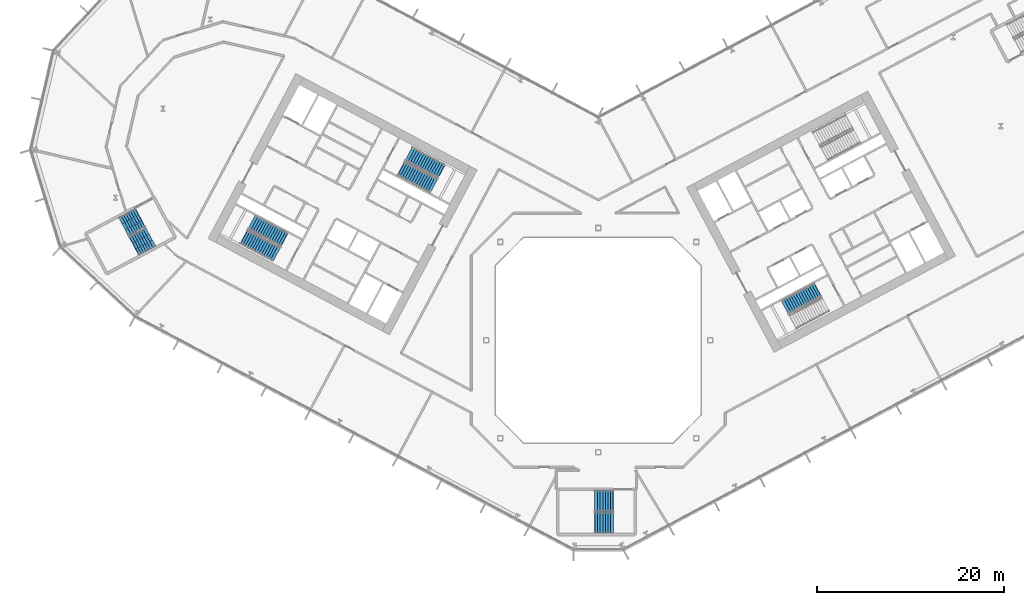
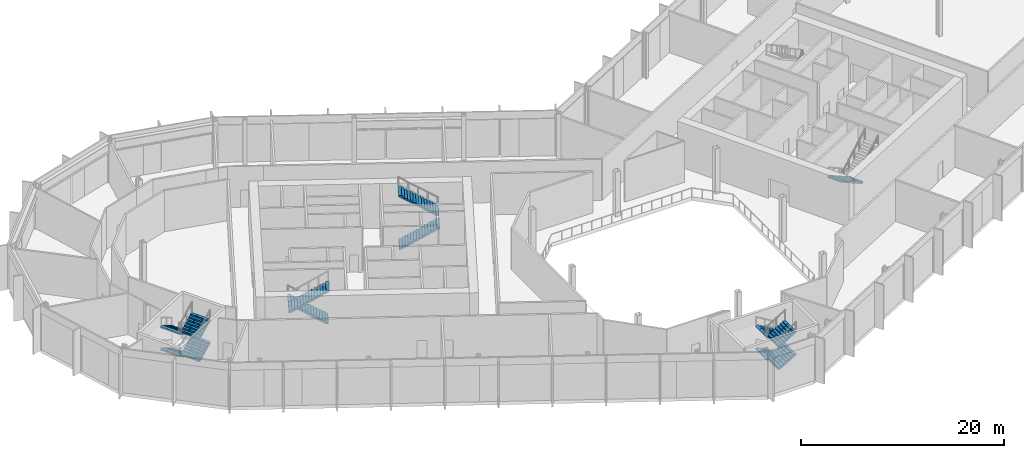
# One storey, part 18 of 31: 13 stair flights, 5 elements without a shape of their own.
"""IFC4 building model written with IfcOpenShell, lengths in metres."""

from ifc_helpers import new_model, si_unit, direction, frame, origin, place, context, subcontext, project, spatial, polyline, outline, extrude, material, type_object, element, aggregate, save


model = new_model("IFC4")

# Units and contexts
model_context = context("Model", 3, precision=1e-05, world=origin(), true_north=direction((0.0, 1.0)))
body_context = subcontext(model_context, "Body", "Model", "MODEL_VIEW")
ifc_project = project(units=[si_unit("LENGTHUNIT", "METRE"), si_unit("AREAUNIT", "SQUARE_METRE"), si_unit("VOLUMEUNIT", "CUBIC_METRE"), si_unit("PLANEANGLEUNIT", "RADIAN"), si_unit("MASSUNIT", "GRAM", prefix="KILO")], contexts=[model_context])

# Site, building, storey
site_placement = place(None, origin())
site = spatial("IfcSite", under=ifc_project, at=site_placement, CompositionType="ELEMENT")
building_placement = place(site_placement, origin())
building = spatial("IfcBuilding", under=site, at=building_placement, Name="Cormorant Relay Tower", CompositionType="ELEMENT")
storey_placement = place(building_placement, frame((0.0, 0.0, 12.199951171875)))
storey = spatial("IfcBuildingStorey", under=building, at=storey_placement, Name="L02", CompositionType="ELEMENT", Elevation=12.199951171875)

# Stair, stair flights
ifc_material_1 = material(Name="Concrete 40 MPa", Category="concrete")
stair_type_1 = type_object("IfcStairType", Name="Exit stair 1500", PredefinedType="HALF_TURN_STAIR", material=ifc_material_1)
stair_1_placement = place(storey_placement, origin())
stair_1 = element("IfcStair", 1, at=stair_1_placement, inside=storey, type_object=stair_type_1, Name="L02 Stair", PredefinedType="HALF_TURN_STAIR")
ifc_material_2 = material(Name="Concrete 40 MPa", Category="concrete")
stair_flight_type_1 = type_object("IfcStairFlightType", Name="Exit stair flight 1650", PredefinedType="STRAIGHT", material=ifc_material_2)
stair_flight_1_placement = place(storey_placement, frame((-21.114501953125, 18.33349609375, 0.0), z_axis=(0.0, 0.0, 1.0), x_axis=(0.882947592859, -0.469471562786, 0.0)))
stair_flight_1 = element("IfcStairFlight", 2, at=stair_flight_1_placement, type_object=stair_flight_type_1, Name="A1 flight 1", NumberOfRisers=15, NumberOfTreads=14, PredefinedType="STRAIGHT", RiserHeight=0.18, TreadLength=0.28, context=body_context, shape_type="SweptSolid", body=[
    extrude(outline(polyline([(-0.050048828125, -0.080078125), (-0.050048828125, 0.0), (0.0, 0.0), (0.0, 0.179931640625), (0.280029296875, 0.179931640625), (0.280029296875, 0.360107421875), (0.56005859375, 0.360107421875), (0.56005859375, 0.5400390625), (0.840087890625, 0.5400390625), (0.840087890625, 0.719970703125), (1.1201171875, 0.719970703125), (1.1201171875, 0.89990234375), (1.39990234375, 0.89990234375), (1.39990234375, 1.080078125), (1.679931640625, 1.080078125), (1.679931640625, 1.260009765625), (1.9599609375, 1.260009765625), (1.9599609375, 1.43994140625), (2.239990234375, 1.43994140625), (2.239990234375, 1.6201171875), (2.52001953125, 1.6201171875), (2.52001953125, 1.800048828125), (2.800048828125, 1.800048828125), (2.800048828125, 1.97998046875), (3.080078125, 1.97998046875), (3.080078125, 2.159912109375), (3.360107421875, 2.159912109375), (3.360107421875, 2.340087890625), (3.639892578125, 2.340087890625), (3.639892578125, 2.52001953125), (3.919921875, 2.52001953125), (3.969970703125, 2.52001953125), (3.969970703125, 2.341796875), (3.919921875, 2.341796875), (0.277099609375, 0.0), (-0.050048828125, -0.080078125)])), frame((0.0, 0.824951171875, 0.0), z_axis=(0.0, -1.0, 0.0), x_axis=(1.0, 0.0, 0.0)), (0.0, 0.0, 1.0), 1.64990234375),
])
stair_flight_2_placement = place(storey_placement, frame((-16.80810546875, 18.08251953125, 2.699951171875), z_axis=(0.0, 0.0, 1.0), x_axis=(-0.882947592859, 0.469471562786, 0.0)))
stair_flight_2 = element("IfcStairFlight", 3, at=stair_flight_2_placement, type_object=stair_flight_type_1, Name="A1 flight 2", NumberOfRisers=15, NumberOfTreads=14, PredefinedType="STRAIGHT", RiserHeight=0.18, TreadLength=0.28, context=body_context, shape_type="SweptSolid", body=[
    extrude(outline(polyline([(-0.050048828125, -0.080078125), (-0.050048828125, 0.0), (0.0, 0.0), (0.0, 0.179931640625), (0.280029296875, 0.179931640625), (0.280029296875, 0.360107421875), (0.56005859375, 0.360107421875), (0.56005859375, 0.5400390625), (0.840087890625, 0.5400390625), (0.840087890625, 0.719970703125), (1.1201171875, 0.719970703125), (1.1201171875, 0.89990234375), (1.39990234375, 0.89990234375), (1.39990234375, 1.080078125), (1.679931640625, 1.080078125), (1.679931640625, 1.260009765625), (1.9599609375, 1.260009765625), (1.9599609375, 1.43994140625), (2.239990234375, 1.43994140625), (2.239990234375, 1.6201171875), (2.52001953125, 1.6201171875), (2.52001953125, 1.800048828125), (2.800048828125, 1.800048828125), (2.800048828125, 1.97998046875), (3.080078125, 1.97998046875), (3.080078125, 2.159912109375), (3.360107421875, 2.159912109375), (3.360107421875, 2.340087890625), (3.639892578125, 2.340087890625), (3.639892578125, 2.52001953125), (3.919921875, 2.52001953125), (3.969970703125, 2.52001953125), (3.969970703125, 2.341796875), (3.919921875, 2.341796875), (0.277099609375, 0.0), (-0.050048828125, -0.080078125)])), frame((0.0, 0.824951171875, 0.0), z_axis=(0.0, -1.0, 0.0), x_axis=(1.0, 0.0, 0.0)), (0.0, 0.0, 1.0), 1.64990234375),
])
aggregate(stair_1, [stair_flight_1, stair_flight_2])

stair_2_placement = place(storey_placement, origin())
stair_2 = element("IfcStair", 4, at=stair_2_placement, inside=storey, type_object=stair_type_1, Name="L02 Stair", PredefinedType="HALF_TURN_STAIR")
stair_flight_3_placement = place(storey_placement, frame((-33.62841796875, 10.773681640625, 0.0), z_axis=(0.0, 0.0, 1.0), x_axis=(-0.882947592859, 0.469471562786, 0.0)))
stair_flight_3 = element("IfcStairFlight", 5, at=stair_flight_3_placement, type_object=stair_flight_type_1, Name="A2 flight 1", NumberOfRisers=15, NumberOfTreads=14, PredefinedType="STRAIGHT", RiserHeight=0.18, TreadLength=0.28, context=body_context, shape_type="SweptSolid", body=[
    extrude(outline(polyline([(-0.050048828125, -0.080078125), (-0.050048828125, 0.0), (0.0, 0.0), (0.0, 0.179931640625), (0.280029296875, 0.179931640625), (0.280029296875, 0.360107421875), (0.56005859375, 0.360107421875), (0.56005859375, 0.5400390625), (0.840087890625, 0.5400390625), (0.840087890625, 0.719970703125), (1.1201171875, 0.719970703125), (1.1201171875, 0.89990234375), (1.39990234375, 0.89990234375), (1.39990234375, 1.080078125), (1.679931640625, 1.080078125), (1.679931640625, 1.260009765625), (1.9599609375, 1.260009765625), (1.9599609375, 1.43994140625), (2.239990234375, 1.43994140625), (2.239990234375, 1.6201171875), (2.52001953125, 1.6201171875), (2.52001953125, 1.800048828125), (2.800048828125, 1.800048828125), (2.800048828125, 1.97998046875), (3.080078125, 1.97998046875), (3.080078125, 2.159912109375), (3.360107421875, 2.159912109375), (3.360107421875, 2.340087890625), (3.639892578125, 2.340087890625), (3.639892578125, 2.52001953125), (3.919921875, 2.52001953125), (3.969970703125, 2.52001953125), (3.969970703125, 2.341796875), (3.919921875, 2.341796875), (0.277099609375, 0.0), (-0.050048828125, -0.080078125)])), frame((0.0, 0.824951171875, 0.0), z_axis=(0.0, -1.0, 0.0), x_axis=(1.0, 0.0, 0.0)), (0.0, 0.0, 1.0), 1.64990234375),
])
stair_flight_4_placement = place(storey_placement, frame((-37.9345703125, 11.024658203125, 2.699951171875), z_axis=(0.0, 0.0, 1.0), x_axis=(0.882947592859, -0.469471562786, 0.0)))
stair_flight_4 = element("IfcStairFlight", 6, at=stair_flight_4_placement, type_object=stair_flight_type_1, Name="A2 flight 2", NumberOfRisers=15, NumberOfTreads=14, PredefinedType="STRAIGHT", RiserHeight=0.18, TreadLength=0.28, context=body_context, shape_type="SweptSolid", body=[
    extrude(outline(polyline([(-0.050048828125, -0.080078125), (-0.050048828125, 0.0), (0.0, 0.0), (0.0, 0.179931640625), (0.280029296875, 0.179931640625), (0.280029296875, 0.360107421875), (0.56005859375, 0.360107421875), (0.56005859375, 0.5400390625), (0.840087890625, 0.5400390625), (0.840087890625, 0.719970703125), (1.1201171875, 0.719970703125), (1.1201171875, 0.89990234375), (1.39990234375, 0.89990234375), (1.39990234375, 1.080078125), (1.679931640625, 1.080078125), (1.679931640625, 1.260009765625), (1.9599609375, 1.260009765625), (1.9599609375, 1.43994140625), (2.239990234375, 1.43994140625), (2.239990234375, 1.6201171875), (2.52001953125, 1.6201171875), (2.52001953125, 1.800048828125), (2.800048828125, 1.800048828125), (2.800048828125, 1.97998046875), (3.080078125, 1.97998046875), (3.080078125, 2.159912109375), (3.360107421875, 2.159912109375), (3.360107421875, 2.340087890625), (3.639892578125, 2.340087890625), (3.639892578125, 2.52001953125), (3.919921875, 2.52001953125), (3.969970703125, 2.52001953125), (3.969970703125, 2.341796875), (3.919921875, 2.341796875), (0.277099609375, 0.0), (-0.050048828125, -0.080078125)])), frame((0.0, 0.824951171875, 0.0), z_axis=(0.0, -1.0, 0.0), x_axis=(1.0, 0.0, 0.0)), (0.0, 0.0, 1.0), 1.64990234375),
])
aggregate(stair_2, [stair_flight_3, stair_flight_4])

# Stair, stair flight
stair_3_placement = place(storey_placement, origin())
stair_3 = element("IfcStair", 7, at=stair_3_placement, inside=storey, type_object=stair_type_1, Name="L02 Stair", PredefinedType="HALF_TURN_STAIR")
stair_flight_5_placement = place(storey_placement, frame((23.474365234375, 5.374755859375, 0.0), z_axis=(0.0, 0.0, 1.0), x_axis=(-0.882947592859, -0.469471562786, 0.0)))
stair_flight_5 = element("IfcStairFlight", 8, at=stair_flight_5_placement, type_object=stair_flight_type_1, Name="B1 flight 1", NumberOfRisers=15, NumberOfTreads=14, PredefinedType="STRAIGHT", RiserHeight=0.18, TreadLength=0.28, context=body_context, shape_type="SweptSolid", body=[
    extrude(outline(polyline([(-0.050048828125, -0.080078125), (-0.050048828125, 0.0), (0.0, 0.0), (0.0, 0.179931640625), (0.280029296875, 0.179931640625), (0.280029296875, 0.360107421875), (0.56005859375, 0.360107421875), (0.56005859375, 0.5400390625), (0.840087890625, 0.5400390625), (0.840087890625, 0.719970703125), (1.1201171875, 0.719970703125), (1.1201171875, 0.89990234375), (1.39990234375, 0.89990234375), (1.39990234375, 1.080078125), (1.679931640625, 1.080078125), (1.679931640625, 1.260009765625), (1.9599609375, 1.260009765625), (1.9599609375, 1.43994140625), (2.239990234375, 1.43994140625), (2.239990234375, 1.6201171875), (2.52001953125, 1.6201171875), (2.52001953125, 1.800048828125), (2.800048828125, 1.800048828125), (2.800048828125, 1.97998046875), (3.080078125, 1.97998046875), (3.080078125, 2.159912109375), (3.360107421875, 2.159912109375), (3.360107421875, 2.340087890625), (3.639892578125, 2.340087890625), (3.639892578125, 2.52001953125), (3.919921875, 2.52001953125), (3.969970703125, 2.52001953125), (3.969970703125, 2.341796875), (3.919921875, 2.341796875), (0.277099609375, 0.0), (-0.050048828125, -0.080078125)])), frame((0.0, 0.824951171875, 0.0), z_axis=(0.0, -1.0, 0.0), x_axis=(1.0, 0.0, 0.0)), (0.0, 0.0, 1.0), 1.64990234375),
])
aggregate(stair_3, [stair_flight_5])

# Stair, stair flights
ifc_material_3 = material(Name="Concrete 40 MPa", Category="concrete")
stair_type_2 = type_object("IfcStairType", Name="Remote exit stair 2200", PredefinedType="HALF_TURN_STAIR", material=ifc_material_3)
stair_4_placement = place(storey_placement, origin())
stair_4 = element("IfcStair", 9, at=stair_4_placement, inside=storey, type_object=stair_type_2, Name="L02 Stair", PredefinedType="HALF_TURN_STAIR")
ifc_material_4 = material(Name="Concrete 40 MPa", Category="concrete")
stair_flight_type_2 = type_object("IfcStairFlightType", Name="Remote exit stair flight 2200", PredefinedType="STRAIGHT", material=ifc_material_4)
stair_flight_6_placement = place(storey_placement, frame((1.60009765625, -17.22509765625, 0.0), z_axis=(0.0, 0.0, 1.0), x_axis=(-1.0, 0.0, 0.0)))
stair_flight_6 = element("IfcStairFlight", 10, at=stair_flight_6_placement, type_object=stair_flight_type_2, Name="RK1 flight 1", NumberOfRisers=8, NumberOfTreads=7, PredefinedType="STRAIGHT", RiserHeight=0.16875, TreadLength=0.28, context=body_context, shape_type="SweptSolid", body=[
    extrude(outline(polyline([(-0.050048828125, -0.080078125), (-0.050048828125, 0.0), (0.0, 0.0), (0.0, 0.168701171875), (0.280029296875, 0.168701171875), (0.280029296875, 0.33740234375), (0.56005859375, 0.33740234375), (0.56005859375, 0.50634765625), (0.840087890625, 0.50634765625), (0.840087890625, 0.675048828125), (1.1201171875, 0.675048828125), (1.1201171875, 0.84375), (1.39990234375, 0.84375), (1.39990234375, 1.012451171875), (1.679931640625, 1.012451171875), (1.679931640625, 1.18115234375), (1.9599609375, 1.18115234375), (2.010009765625, 1.18115234375), (2.010009765625, 1.00634765625), (1.9599609375, 1.00634765625), (0.29052734375, 0.0), (-0.050048828125, -0.080078125)])), frame((0.0, 1.10009765625, 0.0), z_axis=(0.0, -1.0, 0.0), x_axis=(1.0, 0.0, 0.0)), (0.0, 0.0, 1.0), 0.719970703125),
    extrude(outline(polyline([(-0.050048828125, -0.080078125), (-0.050048828125, 0.0), (0.0, 0.0), (0.0, 0.168701171875), (0.280029296875, 0.168701171875), (0.280029296875, 0.33740234375), (0.56005859375, 0.33740234375), (0.56005859375, 0.50634765625), (0.840087890625, 0.50634765625), (0.840087890625, 0.675048828125), (1.1201171875, 0.675048828125), (1.1201171875, 0.84375), (1.39990234375, 0.84375), (1.39990234375, 1.012451171875), (1.679931640625, 1.012451171875), (1.679931640625, 1.18115234375), (1.9599609375, 1.18115234375), (2.010009765625, 1.18115234375), (2.010009765625, 1.00634765625), (1.9599609375, 1.00634765625), (0.29052734375, 0.0), (-0.050048828125, -0.080078125)])), frame((0.0, 0.360107421875, 0.0), z_axis=(0.0, -1.0, 0.0), x_axis=(1.0, 0.0, 0.0)), (0.0, 0.0, 1.0), 0.719970703125),
    extrude(outline(polyline([(-0.050048828125, -0.080078125), (-0.050048828125, 0.0), (0.0, 0.0), (0.0, 0.168701171875), (0.280029296875, 0.168701171875), (0.280029296875, 0.33740234375), (0.56005859375, 0.33740234375), (0.56005859375, 0.50634765625), (0.840087890625, 0.50634765625), (0.840087890625, 0.675048828125), (1.1201171875, 0.675048828125), (1.1201171875, 0.84375), (1.39990234375, 0.84375), (1.39990234375, 1.012451171875), (1.679931640625, 1.012451171875), (1.679931640625, 1.18115234375), (1.9599609375, 1.18115234375), (2.010009765625, 1.18115234375), (2.010009765625, 1.00634765625), (1.9599609375, 1.00634765625), (0.29052734375, 0.0), (-0.050048828125, -0.080078125)])), frame((0.0, -0.3798828125, 0.0), z_axis=(0.0, -1.0, 0.0), x_axis=(1.0, 0.0, 0.0)), (0.0, 0.0, 1.0), 0.719970703125),
])
stair_flight_7_placement = place(storey_placement, frame((-0.360107421875, -19.574951171875, 1.35009765625), z_axis=(0.0, 0.0, 1.0), x_axis=(1.0, 0.0, 0.0)))
stair_flight_7 = element("IfcStairFlight", 11, at=stair_flight_7_placement, type_object=stair_flight_type_2, Name="RK1 flight 2", NumberOfRisers=8, NumberOfTreads=7, PredefinedType="STRAIGHT", RiserHeight=0.16875, TreadLength=0.28, context=body_context, shape_type="SweptSolid", body=[
    extrude(outline(polyline([(-0.050048828125, -0.080078125), (-0.050048828125, 0.0), (0.0, 0.0), (0.0, 0.168701171875), (0.280029296875, 0.168701171875), (0.280029296875, 0.33740234375), (0.56005859375, 0.33740234375), (0.56005859375, 0.50634765625), (0.840087890625, 0.50634765625), (0.840087890625, 0.675048828125), (1.1201171875, 0.675048828125), (1.1201171875, 0.84375), (1.39990234375, 0.84375), (1.39990234375, 1.012451171875), (1.679931640625, 1.012451171875), (1.679931640625, 1.18115234375), (1.9599609375, 1.18115234375), (2.010009765625, 1.18115234375), (2.010009765625, 1.00634765625), (1.9599609375, 1.00634765625), (0.29052734375, 0.0), (-0.050048828125, -0.080078125)])), frame((0.0, 1.10009765625, 0.0), z_axis=(0.0, -1.0, 0.0), x_axis=(1.0, 0.0, 0.0)), (0.0, 0.0, 1.0), 0.719970703125),
    extrude(outline(polyline([(-0.050048828125, -0.080078125), (-0.050048828125, 0.0), (0.0, 0.0), (0.0, 0.168701171875), (0.280029296875, 0.168701171875), (0.280029296875, 0.33740234375), (0.56005859375, 0.33740234375), (0.56005859375, 0.50634765625), (0.840087890625, 0.50634765625), (0.840087890625, 0.675048828125), (1.1201171875, 0.675048828125), (1.1201171875, 0.84375), (1.39990234375, 0.84375), (1.39990234375, 1.012451171875), (1.679931640625, 1.012451171875), (1.679931640625, 1.18115234375), (1.9599609375, 1.18115234375), (2.010009765625, 1.18115234375), (2.010009765625, 1.00634765625), (1.9599609375, 1.00634765625), (0.29052734375, 0.0), (-0.050048828125, -0.080078125)])), frame((0.0, 0.360107421875, 0.0), z_axis=(0.0, -1.0, 0.0), x_axis=(1.0, 0.0, 0.0)), (0.0, 0.0, 1.0), 0.719970703125),
    extrude(outline(polyline([(-0.050048828125, -0.080078125), (-0.050048828125, 0.0), (0.0, 0.0), (0.0, 0.168701171875), (0.280029296875, 0.168701171875), (0.280029296875, 0.33740234375), (0.56005859375, 0.33740234375), (0.56005859375, 0.50634765625), (0.840087890625, 0.50634765625), (0.840087890625, 0.675048828125), (1.1201171875, 0.675048828125), (1.1201171875, 0.84375), (1.39990234375, 0.84375), (1.39990234375, 1.012451171875), (1.679931640625, 1.012451171875), (1.679931640625, 1.18115234375), (1.9599609375, 1.18115234375), (2.010009765625, 1.18115234375), (2.010009765625, 1.00634765625), (1.9599609375, 1.00634765625), (0.29052734375, 0.0), (-0.050048828125, -0.080078125)])), frame((0.0, -0.3798828125, 0.0), z_axis=(0.0, -1.0, 0.0), x_axis=(1.0, 0.0, 0.0)), (0.0, 0.0, 1.0), 0.719970703125),
])
stair_flight_8_placement = place(storey_placement, frame((1.60009765625, -17.22509765625, 2.699951171875), z_axis=(0.0, 0.0, 1.0), x_axis=(-1.0, 0.0, 0.0)))
stair_flight_8 = element("IfcStairFlight", 12, at=stair_flight_8_placement, type_object=stair_flight_type_2, Name="RK1 flight 3", NumberOfRisers=8, NumberOfTreads=7, PredefinedType="STRAIGHT", RiserHeight=0.16875, TreadLength=0.28, context=body_context, shape_type="SweptSolid", body=[
    extrude(outline(polyline([(-0.050048828125, -0.080078125), (-0.050048828125, 0.0), (0.0, 0.0), (0.0, 0.168701171875), (0.280029296875, 0.168701171875), (0.280029296875, 0.33740234375), (0.56005859375, 0.33740234375), (0.56005859375, 0.50634765625), (0.840087890625, 0.50634765625), (0.840087890625, 0.675048828125), (1.1201171875, 0.675048828125), (1.1201171875, 0.84375), (1.39990234375, 0.84375), (1.39990234375, 1.012451171875), (1.679931640625, 1.012451171875), (1.679931640625, 1.18115234375), (1.9599609375, 1.18115234375), (2.010009765625, 1.18115234375), (2.010009765625, 1.00634765625), (1.9599609375, 1.00634765625), (0.29052734375, 0.0), (-0.050048828125, -0.080078125)])), frame((0.0, 1.10009765625, 0.0), z_axis=(0.0, -1.0, 0.0), x_axis=(1.0, 0.0, 0.0)), (0.0, 0.0, 1.0), 0.719970703125),
    extrude(outline(polyline([(-0.050048828125, -0.080078125), (-0.050048828125, 0.0), (0.0, 0.0), (0.0, 0.168701171875), (0.280029296875, 0.168701171875), (0.280029296875, 0.33740234375), (0.56005859375, 0.33740234375), (0.56005859375, 0.50634765625), (0.840087890625, 0.50634765625), (0.840087890625, 0.675048828125), (1.1201171875, 0.675048828125), (1.1201171875, 0.84375), (1.39990234375, 0.84375), (1.39990234375, 1.012451171875), (1.679931640625, 1.012451171875), (1.679931640625, 1.18115234375), (1.9599609375, 1.18115234375), (2.010009765625, 1.18115234375), (2.010009765625, 1.00634765625), (1.9599609375, 1.00634765625), (0.29052734375, 0.0), (-0.050048828125, -0.080078125)])), frame((0.0, 0.360107421875, 0.0), z_axis=(0.0, -1.0, 0.0), x_axis=(1.0, 0.0, 0.0)), (0.0, 0.0, 1.0), 0.719970703125),
    extrude(outline(polyline([(-0.050048828125, -0.080078125), (-0.050048828125, 0.0), (0.0, 0.0), (0.0, 0.168701171875), (0.280029296875, 0.168701171875), (0.280029296875, 0.33740234375), (0.56005859375, 0.33740234375), (0.56005859375, 0.50634765625), (0.840087890625, 0.50634765625), (0.840087890625, 0.675048828125), (1.1201171875, 0.675048828125), (1.1201171875, 0.84375), (1.39990234375, 0.84375), (1.39990234375, 1.012451171875), (1.679931640625, 1.012451171875), (1.679931640625, 1.18115234375), (1.9599609375, 1.18115234375), (2.010009765625, 1.18115234375), (2.010009765625, 1.00634765625), (1.9599609375, 1.00634765625), (0.29052734375, 0.0), (-0.050048828125, -0.080078125)])), frame((0.0, -0.3798828125, 0.0), z_axis=(0.0, -1.0, 0.0), x_axis=(1.0, 0.0, 0.0)), (0.0, 0.0, 1.0), 0.719970703125),
])
stair_flight_9_placement = place(storey_placement, frame((-0.360107421875, -19.574951171875, 4.050048828125), z_axis=(0.0, 0.0, 1.0), x_axis=(1.0, 0.0, 0.0)))
stair_flight_9 = element("IfcStairFlight", 13, at=stair_flight_9_placement, type_object=stair_flight_type_2, Name="RK1 flight 4", NumberOfRisers=8, NumberOfTreads=7, PredefinedType="STRAIGHT", RiserHeight=0.16875, TreadLength=0.28, context=body_context, shape_type="SweptSolid", body=[
    extrude(outline(polyline([(-0.050048828125, -0.080078125), (-0.050048828125, 0.0), (0.0, 0.0), (0.0, 0.168701171875), (0.280029296875, 0.168701171875), (0.280029296875, 0.33740234375), (0.56005859375, 0.33740234375), (0.56005859375, 0.50634765625), (0.840087890625, 0.50634765625), (0.840087890625, 0.675048828125), (1.1201171875, 0.675048828125), (1.1201171875, 0.84375), (1.39990234375, 0.84375), (1.39990234375, 1.012451171875), (1.679931640625, 1.012451171875), (1.679931640625, 1.18115234375), (1.9599609375, 1.18115234375), (2.010009765625, 1.18115234375), (2.010009765625, 1.00634765625), (1.9599609375, 1.00634765625), (0.29052734375, 0.0), (-0.050048828125, -0.080078125)])), frame((0.0, 1.10009765625, 0.0), z_axis=(0.0, -1.0, 0.0), x_axis=(1.0, 0.0, 0.0)), (0.0, 0.0, 1.0), 0.719970703125),
    extrude(outline(polyline([(-0.050048828125, -0.080078125), (-0.050048828125, 0.0), (0.0, 0.0), (0.0, 0.168701171875), (0.280029296875, 0.168701171875), (0.280029296875, 0.33740234375), (0.56005859375, 0.33740234375), (0.56005859375, 0.50634765625), (0.840087890625, 0.50634765625), (0.840087890625, 0.675048828125), (1.1201171875, 0.675048828125), (1.1201171875, 0.84375), (1.39990234375, 0.84375), (1.39990234375, 1.012451171875), (1.679931640625, 1.012451171875), (1.679931640625, 1.18115234375), (1.9599609375, 1.18115234375), (2.010009765625, 1.18115234375), (2.010009765625, 1.00634765625), (1.9599609375, 1.00634765625), (0.29052734375, 0.0), (-0.050048828125, -0.080078125)])), frame((0.0, 0.360107421875, 0.0), z_axis=(0.0, -1.0, 0.0), x_axis=(1.0, 0.0, 0.0)), (0.0, 0.0, 1.0), 0.719970703125),
    extrude(outline(polyline([(-0.050048828125, -0.080078125), (-0.050048828125, 0.0), (0.0, 0.0), (0.0, 0.168701171875), (0.280029296875, 0.168701171875), (0.280029296875, 0.33740234375), (0.56005859375, 0.33740234375), (0.56005859375, 0.50634765625), (0.840087890625, 0.50634765625), (0.840087890625, 0.675048828125), (1.1201171875, 0.675048828125), (1.1201171875, 0.84375), (1.39990234375, 0.84375), (1.39990234375, 1.012451171875), (1.679931640625, 1.012451171875), (1.679931640625, 1.18115234375), (1.9599609375, 1.18115234375), (2.010009765625, 1.18115234375), (2.010009765625, 1.00634765625), (1.9599609375, 1.00634765625), (0.29052734375, 0.0), (-0.050048828125, -0.080078125)])), frame((0.0, -0.3798828125, 0.0), z_axis=(0.0, -1.0, 0.0), x_axis=(1.0, 0.0, 0.0)), (0.0, 0.0, 1.0), 0.719970703125),
])
aggregate(stair_4, [stair_flight_6, stair_flight_7, stair_flight_8, stair_flight_9])

stair_5_placement = place(storey_placement, origin())
stair_5 = element("IfcStair", 14, at=stair_5_placement, inside=storey, type_object=stair_type_2, Name="L02 Stair", PredefinedType="HALF_TURN_STAIR")
stair_flight_10_placement = place(storey_placement, frame((-49.062255859375, 13.08251953125, 0.0), z_axis=(0.0, 0.0, 1.0), x_axis=(-0.882947502727, -0.4694717323, 0.0)))
stair_flight_10 = element("IfcStairFlight", 15, at=stair_flight_10_placement, type_object=stair_flight_type_2, Name="RP1 flight 1", NumberOfRisers=8, NumberOfTreads=7, PredefinedType="STRAIGHT", RiserHeight=0.16875, TreadLength=0.28, context=body_context, shape_type="SweptSolid", body=[
    extrude(outline(polyline([(-0.050048828125, -0.080078125), (-0.050048828125, 0.0), (0.0, 0.0), (0.0, 0.168701171875), (0.280029296875, 0.168701171875), (0.280029296875, 0.33740234375), (0.56005859375, 0.33740234375), (0.56005859375, 0.50634765625), (0.840087890625, 0.50634765625), (0.840087890625, 0.675048828125), (1.1201171875, 0.675048828125), (1.1201171875, 0.84375), (1.39990234375, 0.84375), (1.39990234375, 1.012451171875), (1.679931640625, 1.012451171875), (1.679931640625, 1.18115234375), (1.9599609375, 1.18115234375), (2.010009765625, 1.18115234375), (2.010009765625, 1.00634765625), (1.9599609375, 1.00634765625), (0.29052734375, 0.0), (-0.050048828125, -0.080078125)])), frame((0.0, 1.10009765625, 0.0), z_axis=(0.0, -1.0, 0.0), x_axis=(1.0, 0.0, 0.0)), (0.0, 0.0, 1.0), 0.719970703125),
    extrude(outline(polyline([(-0.050048828125, -0.080078125), (-0.050048828125, 0.0), (0.0, 0.0), (0.0, 0.168701171875), (0.280029296875, 0.168701171875), (0.280029296875, 0.33740234375), (0.56005859375, 0.33740234375), (0.56005859375, 0.50634765625), (0.840087890625, 0.50634765625), (0.840087890625, 0.675048828125), (1.1201171875, 0.675048828125), (1.1201171875, 0.84375), (1.39990234375, 0.84375), (1.39990234375, 1.012451171875), (1.679931640625, 1.012451171875), (1.679931640625, 1.18115234375), (1.9599609375, 1.18115234375), (2.010009765625, 1.18115234375), (2.010009765625, 1.00634765625), (1.9599609375, 1.00634765625), (0.29052734375, 0.0), (-0.050048828125, -0.080078125)])), frame((0.0, 0.360107421875, 0.0), z_axis=(0.0, -1.0, 0.0), x_axis=(1.0, 0.0, 0.0)), (0.0, 0.0, 1.0), 0.719970703125),
    extrude(outline(polyline([(-0.050048828125, -0.080078125), (-0.050048828125, 0.0), (0.0, 0.0), (0.0, 0.168701171875), (0.280029296875, 0.168701171875), (0.280029296875, 0.33740234375), (0.56005859375, 0.33740234375), (0.56005859375, 0.50634765625), (0.840087890625, 0.50634765625), (0.840087890625, 0.675048828125), (1.1201171875, 0.675048828125), (1.1201171875, 0.84375), (1.39990234375, 0.84375), (1.39990234375, 1.012451171875), (1.679931640625, 1.012451171875), (1.679931640625, 1.18115234375), (1.9599609375, 1.18115234375), (2.010009765625, 1.18115234375), (2.010009765625, 1.00634765625), (1.9599609375, 1.00634765625), (0.29052734375, 0.0), (-0.050048828125, -0.080078125)])), frame((0.0, -0.3798828125, 0.0), z_axis=(0.0, -1.0, 0.0), x_axis=(1.0, 0.0, 0.0)), (0.0, 0.0, 1.0), 0.719970703125),
])
stair_flight_11_placement = place(storey_placement, frame((-49.689697265625, 10.08740234375, 1.35009765625), z_axis=(0.0, 0.0, 1.0), x_axis=(0.882947502727, 0.4694717323, 0.0)))
stair_flight_11 = element("IfcStairFlight", 16, at=stair_flight_11_placement, type_object=stair_flight_type_2, Name="RP1 flight 2", NumberOfRisers=8, NumberOfTreads=7, PredefinedType="STRAIGHT", RiserHeight=0.16875, TreadLength=0.28, context=body_context, shape_type="SweptSolid", body=[
    extrude(outline(polyline([(-0.050048828125, -0.080078125), (-0.050048828125, 0.0), (0.0, 0.0), (0.0, 0.168701171875), (0.280029296875, 0.168701171875), (0.280029296875, 0.33740234375), (0.56005859375, 0.33740234375), (0.56005859375, 0.50634765625), (0.840087890625, 0.50634765625), (0.840087890625, 0.675048828125), (1.1201171875, 0.675048828125), (1.1201171875, 0.84375), (1.39990234375, 0.84375), (1.39990234375, 1.012451171875), (1.679931640625, 1.012451171875), (1.679931640625, 1.18115234375), (1.9599609375, 1.18115234375), (2.010009765625, 1.18115234375), (2.010009765625, 1.00634765625), (1.9599609375, 1.00634765625), (0.29052734375, 0.0), (-0.050048828125, -0.080078125)])), frame((0.0, 1.10009765625, 0.0), z_axis=(0.0, -1.0, 0.0), x_axis=(1.0, 0.0, 0.0)), (0.0, 0.0, 1.0), 0.719970703125),
    extrude(outline(polyline([(-0.050048828125, -0.080078125), (-0.050048828125, 0.0), (0.0, 0.0), (0.0, 0.168701171875), (0.280029296875, 0.168701171875), (0.280029296875, 0.33740234375), (0.56005859375, 0.33740234375), (0.56005859375, 0.50634765625), (0.840087890625, 0.50634765625), (0.840087890625, 0.675048828125), (1.1201171875, 0.675048828125), (1.1201171875, 0.84375), (1.39990234375, 0.84375), (1.39990234375, 1.012451171875), (1.679931640625, 1.012451171875), (1.679931640625, 1.18115234375), (1.9599609375, 1.18115234375), (2.010009765625, 1.18115234375), (2.010009765625, 1.00634765625), (1.9599609375, 1.00634765625), (0.29052734375, 0.0), (-0.050048828125, -0.080078125)])), frame((0.0, 0.360107421875, 0.0), z_axis=(0.0, -1.0, 0.0), x_axis=(1.0, 0.0, 0.0)), (0.0, 0.0, 1.0), 0.719970703125),
    extrude(outline(polyline([(-0.050048828125, -0.080078125), (-0.050048828125, 0.0), (0.0, 0.0), (0.0, 0.168701171875), (0.280029296875, 0.168701171875), (0.280029296875, 0.33740234375), (0.56005859375, 0.33740234375), (0.56005859375, 0.50634765625), (0.840087890625, 0.50634765625), (0.840087890625, 0.675048828125), (1.1201171875, 0.675048828125), (1.1201171875, 0.84375), (1.39990234375, 0.84375), (1.39990234375, 1.012451171875), (1.679931640625, 1.012451171875), (1.679931640625, 1.18115234375), (1.9599609375, 1.18115234375), (2.010009765625, 1.18115234375), (2.010009765625, 1.00634765625), (1.9599609375, 1.00634765625), (0.29052734375, 0.0), (-0.050048828125, -0.080078125)])), frame((0.0, -0.3798828125, 0.0), z_axis=(0.0, -1.0, 0.0), x_axis=(1.0, 0.0, 0.0)), (0.0, 0.0, 1.0), 0.719970703125),
])
stair_flight_12_placement = place(storey_placement, frame((-49.062255859375, 13.08251953125, 2.699951171875), z_axis=(0.0, 0.0, 1.0), x_axis=(-0.882947502727, -0.4694717323, 0.0)))
stair_flight_12 = element("IfcStairFlight", 17, at=stair_flight_12_placement, type_object=stair_flight_type_2, Name="RP1 flight 3", NumberOfRisers=8, NumberOfTreads=7, PredefinedType="STRAIGHT", RiserHeight=0.16875, TreadLength=0.28, context=body_context, shape_type="SweptSolid", body=[
    extrude(outline(polyline([(-0.050048828125, -0.080078125), (-0.050048828125, 0.0), (0.0, 0.0), (0.0, 0.168701171875), (0.280029296875, 0.168701171875), (0.280029296875, 0.33740234375), (0.56005859375, 0.33740234375), (0.56005859375, 0.50634765625), (0.840087890625, 0.50634765625), (0.840087890625, 0.675048828125), (1.1201171875, 0.675048828125), (1.1201171875, 0.84375), (1.39990234375, 0.84375), (1.39990234375, 1.012451171875), (1.679931640625, 1.012451171875), (1.679931640625, 1.18115234375), (1.9599609375, 1.18115234375), (2.010009765625, 1.18115234375), (2.010009765625, 1.00634765625), (1.9599609375, 1.00634765625), (0.29052734375, 0.0), (-0.050048828125, -0.080078125)])), frame((0.0, 1.10009765625, 0.0), z_axis=(0.0, -1.0, 0.0), x_axis=(1.0, 0.0, 0.0)), (0.0, 0.0, 1.0), 0.719970703125),
    extrude(outline(polyline([(-0.050048828125, -0.080078125), (-0.050048828125, 0.0), (0.0, 0.0), (0.0, 0.168701171875), (0.280029296875, 0.168701171875), (0.280029296875, 0.33740234375), (0.56005859375, 0.33740234375), (0.56005859375, 0.50634765625), (0.840087890625, 0.50634765625), (0.840087890625, 0.675048828125), (1.1201171875, 0.675048828125), (1.1201171875, 0.84375), (1.39990234375, 0.84375), (1.39990234375, 1.012451171875), (1.679931640625, 1.012451171875), (1.679931640625, 1.18115234375), (1.9599609375, 1.18115234375), (2.010009765625, 1.18115234375), (2.010009765625, 1.00634765625), (1.9599609375, 1.00634765625), (0.29052734375, 0.0), (-0.050048828125, -0.080078125)])), frame((0.0, 0.360107421875, 0.0), z_axis=(0.0, -1.0, 0.0), x_axis=(1.0, 0.0, 0.0)), (0.0, 0.0, 1.0), 0.719970703125),
    extrude(outline(polyline([(-0.050048828125, -0.080078125), (-0.050048828125, 0.0), (0.0, 0.0), (0.0, 0.168701171875), (0.280029296875, 0.168701171875), (0.280029296875, 0.33740234375), (0.56005859375, 0.33740234375), (0.56005859375, 0.50634765625), (0.840087890625, 0.50634765625), (0.840087890625, 0.675048828125), (1.1201171875, 0.675048828125), (1.1201171875, 0.84375), (1.39990234375, 0.84375), (1.39990234375, 1.012451171875), (1.679931640625, 1.012451171875), (1.679931640625, 1.18115234375), (1.9599609375, 1.18115234375), (2.010009765625, 1.18115234375), (2.010009765625, 1.00634765625), (1.9599609375, 1.00634765625), (0.29052734375, 0.0), (-0.050048828125, -0.080078125)])), frame((0.0, -0.3798828125, 0.0), z_axis=(0.0, -1.0, 0.0), x_axis=(1.0, 0.0, 0.0)), (0.0, 0.0, 1.0), 0.719970703125),
])
stair_flight_13_placement = place(storey_placement, frame((-49.689697265625, 10.08740234375, 4.050048828125), z_axis=(0.0, 0.0, 1.0), x_axis=(0.882947502727, 0.4694717323, 0.0)))
stair_flight_13 = element("IfcStairFlight", 18, at=stair_flight_13_placement, type_object=stair_flight_type_2, Name="RP1 flight 4", NumberOfRisers=8, NumberOfTreads=7, PredefinedType="STRAIGHT", RiserHeight=0.16875, TreadLength=0.28, context=body_context, shape_type="SweptSolid", body=[
    extrude(outline(polyline([(-0.050048828125, -0.080078125), (-0.050048828125, 0.0), (0.0, 0.0), (0.0, 0.168701171875), (0.280029296875, 0.168701171875), (0.280029296875, 0.33740234375), (0.56005859375, 0.33740234375), (0.56005859375, 0.50634765625), (0.840087890625, 0.50634765625), (0.840087890625, 0.675048828125), (1.1201171875, 0.675048828125), (1.1201171875, 0.84375), (1.39990234375, 0.84375), (1.39990234375, 1.012451171875), (1.679931640625, 1.012451171875), (1.679931640625, 1.18115234375), (1.9599609375, 1.18115234375), (2.010009765625, 1.18115234375), (2.010009765625, 1.00634765625), (1.9599609375, 1.00634765625), (0.29052734375, 0.0), (-0.050048828125, -0.080078125)])), frame((0.0, 1.10009765625, 0.0), z_axis=(0.0, -1.0, 0.0), x_axis=(1.0, 0.0, 0.0)), (0.0, 0.0, 1.0), 0.719970703125),
    extrude(outline(polyline([(-0.050048828125, -0.080078125), (-0.050048828125, 0.0), (0.0, 0.0), (0.0, 0.168701171875), (0.280029296875, 0.168701171875), (0.280029296875, 0.33740234375), (0.56005859375, 0.33740234375), (0.56005859375, 0.50634765625), (0.840087890625, 0.50634765625), (0.840087890625, 0.675048828125), (1.1201171875, 0.675048828125), (1.1201171875, 0.84375), (1.39990234375, 0.84375), (1.39990234375, 1.012451171875), (1.679931640625, 1.012451171875), (1.679931640625, 1.18115234375), (1.9599609375, 1.18115234375), (2.010009765625, 1.18115234375), (2.010009765625, 1.00634765625), (1.9599609375, 1.00634765625), (0.29052734375, 0.0), (-0.050048828125, -0.080078125)])), frame((0.0, 0.360107421875, 0.0), z_axis=(0.0, -1.0, 0.0), x_axis=(1.0, 0.0, 0.0)), (0.0, 0.0, 1.0), 0.719970703125),
    extrude(outline(polyline([(-0.050048828125, -0.080078125), (-0.050048828125, 0.0), (0.0, 0.0), (0.0, 0.168701171875), (0.280029296875, 0.168701171875), (0.280029296875, 0.33740234375), (0.56005859375, 0.33740234375), (0.56005859375, 0.50634765625), (0.840087890625, 0.50634765625), (0.840087890625, 0.675048828125), (1.1201171875, 0.675048828125), (1.1201171875, 0.84375), (1.39990234375, 0.84375), (1.39990234375, 1.012451171875), (1.679931640625, 1.012451171875), (1.679931640625, 1.18115234375), (1.9599609375, 1.18115234375), (2.010009765625, 1.18115234375), (2.010009765625, 1.00634765625), (1.9599609375, 1.00634765625), (0.29052734375, 0.0), (-0.050048828125, -0.080078125)])), frame((0.0, -0.3798828125, 0.0), z_axis=(0.0, -1.0, 0.0), x_axis=(1.0, 0.0, 0.0)), (0.0, 0.0, 1.0), 0.719970703125),
])
aggregate(stair_5, [stair_flight_10, stair_flight_11, stair_flight_12, stair_flight_13])

save(model, "model.ifc")
